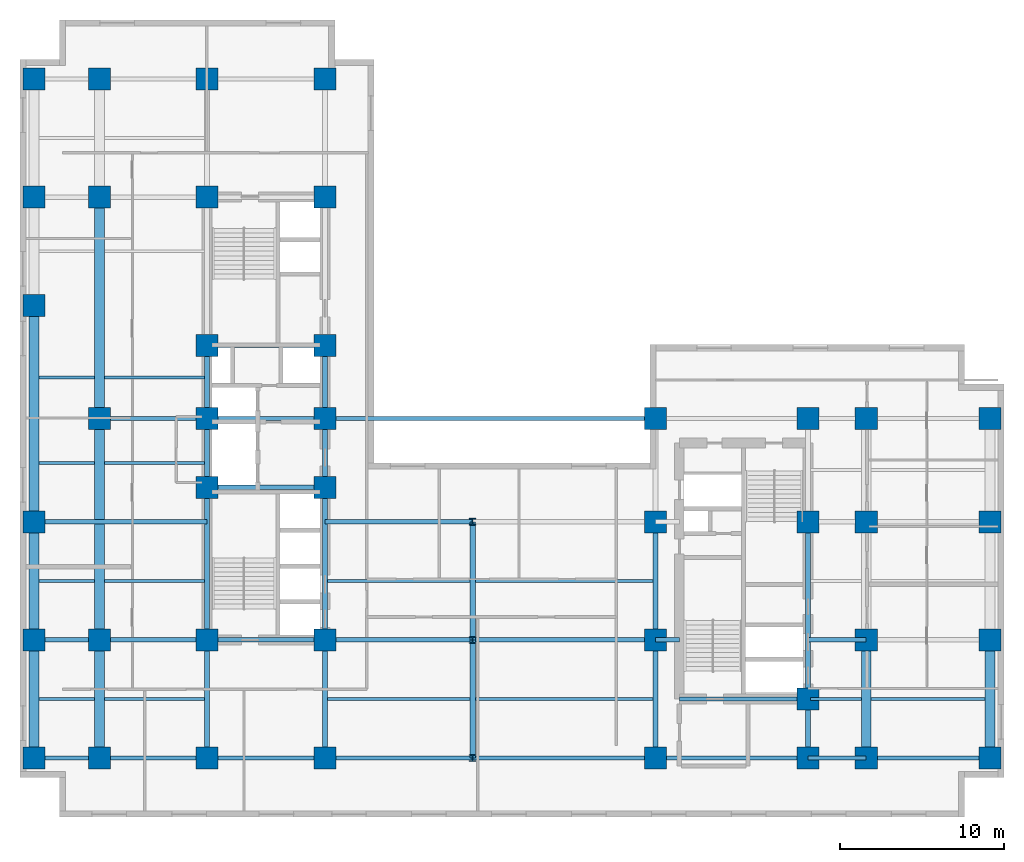
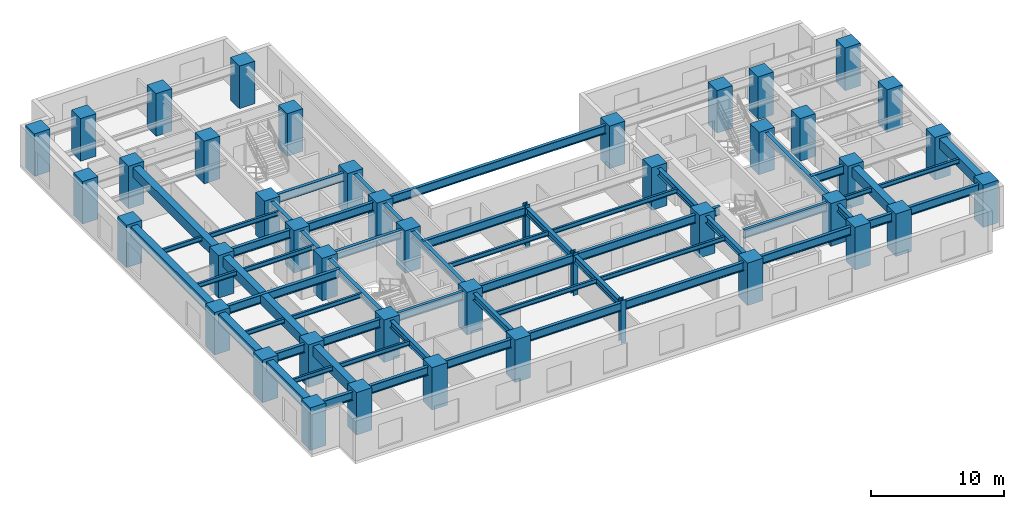
# One storey, part 1 of 9: 59 beams, 44 columns.
"""IFC4 building model written with IfcOpenShell, lengths in metres."""

from ifc_helpers import new_model, entity, si_unit, converted_unit, direction, frame, origin_with_axes, origin_2d_with_axis, place, context, subcontext, project, spatial, rectangle, i_section, extrude, material, material_profile, profile_set, type_object, element, save


model = new_model("IFC4")

# Units and contexts
model_context = context("Model", 3, precision=1e-05, world=origin_with_axes(), true_north=direction((0.0, 1.0)))
body_context = subcontext(model_context, "Body", "Model", "MODEL_VIEW")
ifc_project = project(units=[si_unit("LENGTHUNIT", "METRE"), si_unit("AREAUNIT", "SQUARE_METRE"), si_unit("VOLUMEUNIT", "CUBIC_METRE"), converted_unit("PLANEANGLEUNIT", "DEGREE", entity("IfcPlaneAngleMeasure", 0.017453292519943295), si_unit("PLANEANGLEUNIT", "RADIAN"), dimensions=[0, 0, 0, 0, 0, 0, 0]), si_unit("MASSUNIT", "GRAM", prefix="KILO"), si_unit("THERMODYNAMICTEMPERATUREUNIT", "KELVIN")], contexts=[model_context])

# Site, building, storey
site_placement = place(None, origin_with_axes())
site = spatial("IfcSite", under=ifc_project, at=site_placement, CompositionType="ELEMENT")
building_placement = place(site_placement, origin_with_axes())
building = spatial("IfcBuilding", under=site, at=building_placement, Name="Varnlund Millrace Tower", CompositionType="ELEMENT")
storey_placement = place(building_placement, frame((0.0, 0.0, 40.5), z_axis=(0.0, 0.0, 1.0), x_axis=(1.0, 0.0, 0.0)))
storey = spatial("IfcBuildingStorey", under=building, at=storey_placement, Name="L09", CompositionType="ELEMENT", Elevation=40.5)

# Columns
ifc_material_1 = material(Name="Steel ASTM A913 Grade 65", Category="steel")
ifc_material_profile_1 = material_profile(ifc_material_1, i_section(OverallWidth=0.406, OverallDepth=0.416, WebThickness=0.0298, FlangeThickness=0.048, FilletRadius=0.022, at=origin_2d_with_axis()), Name="Steel ASTM A913 Grade 65")
ifc_profile_set_1 = profile_set([ifc_material_profile_1], Name="Steel ASTM A913 Grade 65")
column_type_1 = type_object("IfcColumnType", Name="Type-Col-Int-W14X257", PredefinedType="COLUMN", material=ifc_profile_set_1)
for number, where, z_axis, x_axis, name in (
    (1, (27.6, 3.6, 0.0), (0.0, 0.0, 1.0), (1.0, 0.0, 0.0), "Type-Col-Int-W14X257"),
    (2, (27.6, 10.8, 0.0), (0.0, 0.0, 1.0), (1.0, 0.0, 0.0), "Type-Col-Int-W14X257"),
    (3, (27.6, 18.0, 0.0), (0.0, 0.0, 1.0), (1.0, 0.0, 0.0), "Type-Col-Int-W14X257"),
):
    element("IfcColumn", number, at=place(storey_placement, frame(where, z_axis=z_axis, x_axis=x_axis)), inside=storey, type_object=column_type_1, Name=name, PredefinedType="COLUMN", context=body_context, shape_type="SweptSolid", body=[
        extrude(i_section(OverallWidth=0.406, OverallDepth=0.416, WebThickness=0.0298, FlangeThickness=0.048, FilletRadius=0.022, at=origin_2d_with_axis()), origin_with_axes(), (0.0, 0.0, 1.0), 3.9),
    ])
ifc_material_2 = material(Name="Concrete C80/95", Category="concrete")
ifc_material_profile_2 = material_profile(ifc_material_2, rectangle(XDim=1.35, YDim=1.35, at=origin_2d_with_axis()), Name="Concrete C80/95")
ifc_profile_set_2 = profile_set([ifc_material_profile_2], Name="Concrete C80/95")
column_type_2 = type_object("IfcColumnType", Name="Type-Col-RC1350-C80", PredefinedType="COLUMN", material=ifc_profile_set_2)
for number, where, z_axis, x_axis, name in (
    (4, (11.4, 3.6, 0.0), (0.0, 0.0, 1.0), (1.0, 0.0, 0.0), "Type-Col-RC1350-C80"),
    (5, (11.4, 10.8, 0.0), (0.0, 0.0, 1.0), (1.0, 0.0, 0.0), "Type-Col-RC1350-C80"),
    (6, (11.4, 20.1, 0.0), (0.0, 0.0, 1.0), (1.0, 0.0, 0.0), "Type-Col-RC1350-C80"),
    (7, (11.4, 24.3, 0.0), (0.0, 0.0, 1.0), (1.0, 0.0, 0.0), "Type-Col-RC1350-C80"),
    (8, (11.4, 28.75, 0.0), (0.0, 0.0, 1.0), (1.0, 0.0, 0.0), "Type-Col-RC1350-C80"),
    (9, (11.4, 37.8, 0.0), (0.0, 0.0, 1.0), (1.0, 0.0, 0.0), "Type-Col-RC1350-C80"),
    (10, (11.4, 45.0, 0.0), (0.0, 0.0, 1.0), (1.0, 0.0, 0.0), "Type-Col-RC1350-C80"),
    (11, (18.6, 3.6, 0.0), (0.0, 0.0, 1.0), (1.0, 0.0, 0.0), "Type-Col-RC1350-C80"),
    (12, (18.6, 10.8, 0.0), (0.0, 0.0, 1.0), (1.0, 0.0, 0.0), "Type-Col-RC1350-C80"),
    (13, (18.6, 20.1, 0.0), (0.0, 0.0, 1.0), (1.0, 0.0, 0.0), "Type-Col-RC1350-C80"),
    (14, (18.6, 24.3, 0.0), (0.0, 0.0, 1.0), (1.0, 0.0, 0.0), "Type-Col-RC1350-C80"),
    (15, (18.6, 28.75, 0.0), (0.0, 0.0, 1.0), (1.0, 0.0, 0.0), "Type-Col-RC1350-C80"),
    (16, (18.6, 37.8, 0.0), (0.0, 0.0, 1.0), (1.0, 0.0, 0.0), "Type-Col-RC1350-C80"),
    (17, (18.6, 45.0, 0.0), (0.0, 0.0, 1.0), (1.0, 0.0, 0.0), "Type-Col-RC1350-C80"),
    (18, (4.85, 3.6, 0.0), (0.0, 0.0, 1.0), (1.0, 0.0, 0.0), "Type-Col-RC1350-C80"),
    (19, (4.85, 10.8, 0.0), (0.0, 0.0, 1.0), (1.0, 0.0, 0.0), "Type-Col-RC1350-C80"),
    (20, (4.85, 24.3, 0.0), (0.0, 0.0, 1.0), (1.0, 0.0, 0.0), "Type-Col-RC1350-C80"),
    (21, (4.85, 37.8, 0.0), (0.0, 0.0, 1.0), (1.0, 0.0, 0.0), "Type-Col-RC1350-C80"),
    (22, (4.85, 45.0, 0.0), (0.0, 0.0, 1.0), (1.0, 0.0, 0.0), "Type-Col-RC1350-C80"),
    (23, (0.85, 3.6, 0.0), (0.0, 0.0, 1.0), (1.0, 0.0, 0.0), "Type-Col-RC1350-C80"),
    (24, (0.85, 10.8, 0.0), (0.0, 0.0, 1.0), (1.0, 0.0, 0.0), "Type-Col-RC1350-C80"),
    (25, (0.85, 18.0, 0.0), (0.0, 0.0, 1.0), (1.0, 0.0, 0.0), "Type-Col-RC1350-C80"),
    (26, (0.85, 31.2, 0.0), (0.0, 0.0, 1.0), (1.0, 0.0, 0.0), "Type-Col-RC1350-C80"),
    (27, (0.85, 37.8, 0.0), (0.0, 0.0, 1.0), (1.0, 0.0, 0.0), "Type-Col-RC1350-C80"),
    (28, (0.85, 45.0, 0.0), (0.0, 0.0, 1.0), (1.0, 0.0, 0.0), "Type-Col-RC1350-C80"),
    (29, (38.75, 3.6, 0.0), (0.0, 0.0, 1.0), (1.0, 0.0, 0.0), "Type-Col-RC1350-C80"),
    (30, (38.75, 10.8, 0.0), (0.0, 0.0, 1.0), (1.0, 0.0, 0.0), "Type-Col-RC1350-C80"),
    (31, (38.75, 18.0, 0.0), (0.0, 0.0, 1.0), (1.0, 0.0, 0.0), "Type-Col-RC1350-C80"),
    (32, (38.75, 24.3, 0.0), (0.0, 0.0, 1.0), (1.0, 0.0, 0.0), "Type-Col-RC1350-C80"),
    (33, (48.05, 3.6, 0.0), (0.0, 0.0, 1.0), (1.0, 0.0, 0.0), "Type-Col-RC1350-C80"),
    (34, (48.05, 7.2, 0.0), (0.0, 0.0, 1.0), (1.0, 0.0, 0.0), "Type-Col-RC1350-C80"),
    (35, (48.05, 18.0, 0.0), (0.0, 0.0, 1.0), (1.0, 0.0, 0.0), "Type-Col-RC1350-C80"),
    (36, (48.05, 24.3, 0.0), (0.0, 0.0, 1.0), (1.0, 0.0, 0.0), "Type-Col-RC1350-C80"),
    (37, (51.6, 3.6, 0.0), (0.0, 0.0, 1.0), (1.0, 0.0, 0.0), "Type-Col-RC1350-C80"),
    (38, (51.6, 10.8, 0.0), (0.0, 0.0, 1.0), (1.0, 0.0, 0.0), "Type-Col-RC1350-C80"),
    (39, (51.6, 18.0, 0.0), (0.0, 0.0, 1.0), (1.0, 0.0, 0.0), "Type-Col-RC1350-C80"),
    (40, (51.6, 24.3, 0.0), (0.0, 0.0, 1.0), (1.0, 0.0, 0.0), "Type-Col-RC1350-C80"),
    (41, (59.15, 3.6, 0.0), (0.0, 0.0, 1.0), (1.0, 0.0, 0.0), "Type-Col-RC1350-C80"),
    (42, (59.15, 10.8, 0.0), (0.0, 0.0, 1.0), (1.0, 0.0, 0.0), "Type-Col-RC1350-C80"),
    (43, (59.15, 18.0, 0.0), (0.0, 0.0, 1.0), (1.0, 0.0, 0.0), "Type-Col-RC1350-C80"),
    (44, (59.15, 24.3, 0.0), (0.0, 0.0, 1.0), (1.0, 0.0, 0.0), "Type-Col-RC1350-C80"),
):
    element("IfcColumn", number, at=place(storey_placement, frame(where, z_axis=z_axis, x_axis=x_axis)), inside=storey, type_object=column_type_2, Name=name, PredefinedType="COLUMN", context=body_context, shape_type="SweptSolid", body=[
        extrude(rectangle(XDim=1.35, YDim=1.35, at=origin_2d_with_axis()), origin_with_axes(), (0.0, 0.0, 1.0), 3.9),
    ])

# Beams
ifc_material_3 = material(Name="Steel ASTM A992 Grade 50", Category="steel")
ifc_material_profile_3 = material_profile(ifc_material_3, i_section(OverallWidth=0.328, OverallDepth=0.628, WebThickness=0.0165, FlangeThickness=0.0277, FilletRadius=0.018, at=origin_2d_with_axis()), Name="Steel ASTM A992 Grade 50")
ifc_profile_set_3 = profile_set([ifc_material_profile_3], Name="Steel ASTM A992 Grade 50")
beam_type_1 = type_object("IfcBeamType", Name="Type-Girder-W24X146", PredefinedType="USERDEFINED", material=ifc_profile_set_3)
beam_1_placement = place(storey_placement, frame((11.4, 3.6, 3.346), z_axis=(0.0, 1.0, 0.0), x_axis=(-1.0, 0.0, 0.0)))
element("IfcBeam", 45, at=beam_1_placement, inside=storey, type_object=beam_type_1, Name="Type-Girder-W24X146", ObjectType="GIRDER", PredefinedType="USERDEFINED", context=body_context, shape_type="SweptSolid", body=[
    extrude(i_section(OverallWidth=0.328, OverallDepth=0.628, WebThickness=0.0165, FlangeThickness=0.0277, FilletRadius=0.018, at=origin_2d_with_axis()), origin_with_axes(), (0.0, 0.0, 1.0), 7.2),
])
beam_2_placement = place(storey_placement, frame((11.4, 10.8, 3.346), z_axis=(0.0, 1.0, 0.0), x_axis=(-1.0, 0.0, 0.0)))
element("IfcBeam", 46, at=beam_2_placement, inside=storey, type_object=beam_type_1, Name="Type-Girder-W24X146", ObjectType="GIRDER", PredefinedType="USERDEFINED", context=body_context, shape_type="SweptSolid", body=[
    extrude(i_section(OverallWidth=0.328, OverallDepth=0.628, WebThickness=0.0165, FlangeThickness=0.0277, FilletRadius=0.018, at=origin_2d_with_axis()), origin_with_axes(), (0.0, 0.0, 1.0), 9.3),
])
beam_3_placement = place(storey_placement, frame((11.4, 20.1, 3.346), z_axis=(0.0, 1.0, 0.0), x_axis=(-1.0, 0.0, 0.0)))
element("IfcBeam", 47, at=beam_3_placement, inside=storey, type_object=beam_type_1, Name="Type-Girder-W24X146", ObjectType="GIRDER", PredefinedType="USERDEFINED", context=body_context, shape_type="SweptSolid", body=[
    extrude(i_section(OverallWidth=0.328, OverallDepth=0.628, WebThickness=0.0165, FlangeThickness=0.0277, FilletRadius=0.018, at=origin_2d_with_axis()), origin_with_axes(), (0.0, 0.0, 1.0), 4.2),
])
beam_4_placement = place(storey_placement, frame((11.4, 24.3, 3.346), z_axis=(0.0, 1.0, 0.0), x_axis=(-1.0, 0.0, 0.0)))
element("IfcBeam", 48, at=beam_4_placement, inside=storey, type_object=beam_type_1, Name="Type-Girder-W24X146", ObjectType="GIRDER", PredefinedType="USERDEFINED", context=body_context, shape_type="SweptSolid", body=[
    extrude(i_section(OverallWidth=0.328, OverallDepth=0.628, WebThickness=0.0165, FlangeThickness=0.0277, FilletRadius=0.018, at=origin_2d_with_axis()), origin_with_axes(), (0.0, 0.0, 1.0), 4.45),
])
beam_5_placement = place(storey_placement, frame((18.6, 3.6, 3.346), z_axis=(0.0, 1.0, 0.0), x_axis=(-1.0, 0.0, 0.0)))
element("IfcBeam", 49, at=beam_5_placement, inside=storey, type_object=beam_type_1, Name="Type-Girder-W24X146", ObjectType="GIRDER", PredefinedType="USERDEFINED", context=body_context, shape_type="SweptSolid", body=[
    extrude(i_section(OverallWidth=0.328, OverallDepth=0.628, WebThickness=0.0165, FlangeThickness=0.0277, FilletRadius=0.018, at=origin_2d_with_axis()), origin_with_axes(), (0.0, 0.0, 1.0), 7.2),
])
beam_6_placement = place(storey_placement, frame((18.6, 10.8, 3.346), z_axis=(0.0, 1.0, 0.0), x_axis=(-1.0, 0.0, 0.0)))
element("IfcBeam", 50, at=beam_6_placement, inside=storey, type_object=beam_type_1, Name="Type-Girder-W24X146", ObjectType="GIRDER", PredefinedType="USERDEFINED", context=body_context, shape_type="SweptSolid", body=[
    extrude(i_section(OverallWidth=0.328, OverallDepth=0.628, WebThickness=0.0165, FlangeThickness=0.0277, FilletRadius=0.018, at=origin_2d_with_axis()), origin_with_axes(), (0.0, 0.0, 1.0), 9.3),
])
beam_7_placement = place(storey_placement, frame((18.6, 20.1, 3.346), z_axis=(0.0, 1.0, 0.0), x_axis=(-1.0, 0.0, 0.0)))
element("IfcBeam", 51, at=beam_7_placement, inside=storey, type_object=beam_type_1, Name="Type-Girder-W24X146", ObjectType="GIRDER", PredefinedType="USERDEFINED", context=body_context, shape_type="SweptSolid", body=[
    extrude(i_section(OverallWidth=0.328, OverallDepth=0.628, WebThickness=0.0165, FlangeThickness=0.0277, FilletRadius=0.018, at=origin_2d_with_axis()), origin_with_axes(), (0.0, 0.0, 1.0), 4.2),
])
beam_8_placement = place(storey_placement, frame((18.6, 24.3, 3.346), z_axis=(0.0, 1.0, 0.0), x_axis=(-1.0, 0.0, 0.0)))
element("IfcBeam", 52, at=beam_8_placement, inside=storey, type_object=beam_type_1, Name="Type-Girder-W24X146", ObjectType="GIRDER", PredefinedType="USERDEFINED", context=body_context, shape_type="SweptSolid", body=[
    extrude(i_section(OverallWidth=0.328, OverallDepth=0.628, WebThickness=0.0165, FlangeThickness=0.0277, FilletRadius=0.018, at=origin_2d_with_axis()), origin_with_axes(), (0.0, 0.0, 1.0), 4.45),
])
for number, where, z_axis, x_axis, name in (
    (53, (27.6, 3.6, 3.346), (0.0, 1.0, 0.0), (-1.0, 0.0, 0.0), "Type-Girder-W24X146"),
    (54, (27.6, 10.8, 3.346), (0.0, 1.0, 0.0), (-1.0, 0.0, 0.0), "Type-Girder-W24X146"),
    (55, (38.75, 3.6, 3.346), (0.0, 1.0, 0.0), (-1.0, 0.0, 0.0), "Type-Girder-W24X146"),
    (56, (38.75, 10.8, 3.346), (0.0, 1.0, 0.0), (-1.0, 0.0, 0.0), "Type-Girder-W24X146"),
):
    element("IfcBeam", number, at=place(storey_placement, frame(where, z_axis=z_axis, x_axis=x_axis)), inside=storey, type_object=beam_type_1, Name=name, ObjectType="GIRDER", PredefinedType="USERDEFINED", context=body_context, shape_type="SweptSolid", body=[
        extrude(i_section(OverallWidth=0.328, OverallDepth=0.628, WebThickness=0.0165, FlangeThickness=0.0277, FilletRadius=0.018, at=origin_2d_with_axis()), origin_with_axes(), (0.0, 0.0, 1.0), 7.2),
    ])
beam_9_placement = place(storey_placement, frame((48.05, 3.6, 3.346), z_axis=(0.0, 1.0, 0.0), x_axis=(-1.0, 0.0, 0.0)))
element("IfcBeam", 57, at=beam_9_placement, inside=storey, type_object=beam_type_1, Name="Type-Girder-W24X146", ObjectType="GIRDER", PredefinedType="USERDEFINED", context=body_context, shape_type="SweptSolid", body=[
    extrude(i_section(OverallWidth=0.328, OverallDepth=0.628, WebThickness=0.0165, FlangeThickness=0.0277, FilletRadius=0.018, at=origin_2d_with_axis()), origin_with_axes(), (0.0, 0.0, 1.0), 3.6),
])
beam_10_placement = place(storey_placement, frame((48.05, 7.2, 3.346), z_axis=(0.0, 1.0, 0.0), x_axis=(-1.0, 0.0, 0.0)))
element("IfcBeam", 58, at=beam_10_placement, inside=storey, type_object=beam_type_1, Name="Type-Girder-W24X146", ObjectType="GIRDER", PredefinedType="USERDEFINED", context=body_context, shape_type="SweptSolid", body=[
    extrude(i_section(OverallWidth=0.328, OverallDepth=0.628, WebThickness=0.0165, FlangeThickness=0.0277, FilletRadius=0.018, at=origin_2d_with_axis()), origin_with_axes(), (0.0, 0.0, 1.0), 10.8),
])
ifc_material_profile_4 = material_profile(ifc_material_3, i_section(OverallWidth=0.266, OverallDepth=0.779, WebThickness=0.0165, FlangeThickness=0.03, FilletRadius=0.02, at=origin_2d_with_axis()), Name="Steel ASTM A992 Grade 50")
ifc_profile_set_4 = profile_set([ifc_material_profile_4], Name="Steel ASTM A992 Grade 50")
beam_type_2 = type_object("IfcBeamType", Name="Type-Girder-W30X148", PredefinedType="USERDEFINED", material=ifc_profile_set_4)
beam_11_placement = place(storey_placement, frame((0.85, 3.6, 3.2705), z_axis=(1.0, 0.0, 0.0), x_axis=(0.0, 1.0, 0.0)))
element("IfcBeam", 59, at=beam_11_placement, inside=storey, type_object=beam_type_2, Name="Type-Girder-W30X148", ObjectType="GIRDER", PredefinedType="USERDEFINED", context=body_context, shape_type="SweptSolid", body=[
    extrude(i_section(OverallWidth=0.266, OverallDepth=0.779, WebThickness=0.0165, FlangeThickness=0.03, FilletRadius=0.02, at=origin_2d_with_axis()), origin_with_axes(), (0.0, 0.0, 1.0), 4.0),
])
beam_12_placement = place(storey_placement, frame((4.85, 3.6, 3.2705), z_axis=(1.0, 0.0, 0.0), x_axis=(0.0, 1.0, 0.0)))
element("IfcBeam", 60, at=beam_12_placement, inside=storey, type_object=beam_type_2, Name="Type-Girder-W30X148", ObjectType="GIRDER", PredefinedType="USERDEFINED", context=body_context, shape_type="SweptSolid", body=[
    extrude(i_section(OverallWidth=0.266, OverallDepth=0.779, WebThickness=0.0165, FlangeThickness=0.03, FilletRadius=0.02, at=origin_2d_with_axis()), origin_with_axes(), (0.0, 0.0, 1.0), 6.55),
])
beam_13_placement = place(storey_placement, frame((11.4, 3.6, 3.2705), z_axis=(1.0, 0.0, 0.0), x_axis=(0.0, 1.0, 0.0)))
element("IfcBeam", 61, at=beam_13_placement, inside=storey, type_object=beam_type_2, Name="Type-Girder-W30X148", ObjectType="GIRDER", PredefinedType="USERDEFINED", context=body_context, shape_type="SweptSolid", body=[
    extrude(i_section(OverallWidth=0.266, OverallDepth=0.779, WebThickness=0.0165, FlangeThickness=0.03, FilletRadius=0.02, at=origin_2d_with_axis()), origin_with_axes(), (0.0, 0.0, 1.0), 7.2),
])
beam_14_placement = place(storey_placement, frame((18.6, 3.6, 3.2705), z_axis=(1.0, 0.0, 0.0), x_axis=(0.0, 1.0, 0.0)))
element("IfcBeam", 62, at=beam_14_placement, inside=storey, type_object=beam_type_2, Name="Type-Girder-W30X148", ObjectType="GIRDER", PredefinedType="USERDEFINED", context=body_context, shape_type="SweptSolid", body=[
    extrude(i_section(OverallWidth=0.266, OverallDepth=0.779, WebThickness=0.0165, FlangeThickness=0.03, FilletRadius=0.02, at=origin_2d_with_axis()), origin_with_axes(), (0.0, 0.0, 1.0), 9.0),
])
beam_15_placement = place(storey_placement, frame((27.6, 3.6, 3.2705), z_axis=(1.0, 0.0, 0.0), x_axis=(0.0, 1.0, 0.0)))
element("IfcBeam", 63, at=beam_15_placement, inside=storey, type_object=beam_type_2, Name="Type-Girder-W30X148", ObjectType="GIRDER", PredefinedType="USERDEFINED", context=body_context, shape_type="SweptSolid", body=[
    extrude(i_section(OverallWidth=0.266, OverallDepth=0.779, WebThickness=0.0165, FlangeThickness=0.03, FilletRadius=0.02, at=origin_2d_with_axis()), origin_with_axes(), (0.0, 0.0, 1.0), 11.15),
])
beam_16_placement = place(storey_placement, frame((38.75, 3.6, 3.2705), z_axis=(1.0, 0.0, 0.0), x_axis=(0.0, 1.0, 0.0)))
element("IfcBeam", 64, at=beam_16_placement, inside=storey, type_object=beam_type_2, Name="Type-Girder-W30X148", ObjectType="GIRDER", PredefinedType="USERDEFINED", context=body_context, shape_type="SweptSolid", body=[
    extrude(i_section(OverallWidth=0.266, OverallDepth=0.779, WebThickness=0.0165, FlangeThickness=0.03, FilletRadius=0.02, at=origin_2d_with_axis()), origin_with_axes(), (0.0, 0.0, 1.0), 9.3),
])
beam_17_placement = place(storey_placement, frame((48.05, 3.6, 3.2705), z_axis=(1.0, 0.0, 0.0), x_axis=(0.0, 1.0, 0.0)))
element("IfcBeam", 65, at=beam_17_placement, inside=storey, type_object=beam_type_2, Name="Type-Girder-W30X148", ObjectType="GIRDER", PredefinedType="USERDEFINED", context=body_context, shape_type="SweptSolid", body=[
    extrude(i_section(OverallWidth=0.266, OverallDepth=0.779, WebThickness=0.0165, FlangeThickness=0.03, FilletRadius=0.02, at=origin_2d_with_axis()), origin_with_axes(), (0.0, 0.0, 1.0), 3.55),
])
beam_18_placement = place(storey_placement, frame((51.6, 3.6, 3.2705), z_axis=(1.0, 0.0, 0.0), x_axis=(0.0, 1.0, 0.0)))
element("IfcBeam", 66, at=beam_18_placement, inside=storey, type_object=beam_type_2, Name="Type-Girder-W30X148", ObjectType="GIRDER", PredefinedType="USERDEFINED", context=body_context, shape_type="SweptSolid", body=[
    extrude(i_section(OverallWidth=0.266, OverallDepth=0.779, WebThickness=0.0165, FlangeThickness=0.03, FilletRadius=0.02, at=origin_2d_with_axis()), origin_with_axes(), (0.0, 0.0, 1.0), 7.55),
])
beam_19_placement = place(storey_placement, frame((40.2, 7.2, 3.2705), z_axis=(1.0, 0.0, 0.0), x_axis=(0.0, 1.0, 0.0)))
element("IfcBeam", 67, at=beam_19_placement, inside=storey, type_object=beam_type_2, Name="Type-Girder-W30X148", ObjectType="GIRDER", PredefinedType="USERDEFINED", context=body_context, shape_type="SweptSolid", body=[
    extrude(i_section(OverallWidth=0.266, OverallDepth=0.779, WebThickness=0.0165, FlangeThickness=0.03, FilletRadius=0.02, at=origin_2d_with_axis()), origin_with_axes(), (0.0, 0.0, 1.0), 7.85),
])
beam_20_placement = place(storey_placement, frame((0.85, 10.8, 3.2705), z_axis=(1.0, 0.0, 0.0), x_axis=(0.0, 1.0, 0.0)))
element("IfcBeam", 68, at=beam_20_placement, inside=storey, type_object=beam_type_2, Name="Type-Girder-W30X148", ObjectType="GIRDER", PredefinedType="USERDEFINED", context=body_context, shape_type="SweptSolid", body=[
    extrude(i_section(OverallWidth=0.266, OverallDepth=0.779, WebThickness=0.0165, FlangeThickness=0.03, FilletRadius=0.02, at=origin_2d_with_axis()), origin_with_axes(), (0.0, 0.0, 1.0), 4.0),
])
beam_21_placement = place(storey_placement, frame((4.85, 10.8, 3.2705), z_axis=(1.0, 0.0, 0.0), x_axis=(0.0, 1.0, 0.0)))
element("IfcBeam", 69, at=beam_21_placement, inside=storey, type_object=beam_type_2, Name="Type-Girder-W30X148", ObjectType="GIRDER", PredefinedType="USERDEFINED", context=body_context, shape_type="SweptSolid", body=[
    extrude(i_section(OverallWidth=0.266, OverallDepth=0.779, WebThickness=0.0165, FlangeThickness=0.03, FilletRadius=0.02, at=origin_2d_with_axis()), origin_with_axes(), (0.0, 0.0, 1.0), 6.55),
])
beam_22_placement = place(storey_placement, frame((11.4, 10.8, 3.2705), z_axis=(1.0, 0.0, 0.0), x_axis=(0.0, 1.0, 0.0)))
element("IfcBeam", 70, at=beam_22_placement, inside=storey, type_object=beam_type_2, Name="Type-Girder-W30X148", ObjectType="GIRDER", PredefinedType="USERDEFINED", context=body_context, shape_type="SweptSolid", body=[
    extrude(i_section(OverallWidth=0.266, OverallDepth=0.779, WebThickness=0.0165, FlangeThickness=0.03, FilletRadius=0.02, at=origin_2d_with_axis()), origin_with_axes(), (0.0, 0.0, 1.0), 7.2),
])
beam_23_placement = place(storey_placement, frame((18.6, 10.8, 3.2705), z_axis=(1.0, 0.0, 0.0), x_axis=(0.0, 1.0, 0.0)))
element("IfcBeam", 71, at=beam_23_placement, inside=storey, type_object=beam_type_2, Name="Type-Girder-W30X148", ObjectType="GIRDER", PredefinedType="USERDEFINED", context=body_context, shape_type="SweptSolid", body=[
    extrude(i_section(OverallWidth=0.266, OverallDepth=0.779, WebThickness=0.0165, FlangeThickness=0.03, FilletRadius=0.02, at=origin_2d_with_axis()), origin_with_axes(), (0.0, 0.0, 1.0), 9.0),
])
beam_24_placement = place(storey_placement, frame((27.6, 10.8, 3.2705), z_axis=(1.0, 0.0, 0.0), x_axis=(0.0, 1.0, 0.0)))
element("IfcBeam", 72, at=beam_24_placement, inside=storey, type_object=beam_type_2, Name="Type-Girder-W30X148", ObjectType="GIRDER", PredefinedType="USERDEFINED", context=body_context, shape_type="SweptSolid", body=[
    extrude(i_section(OverallWidth=0.266, OverallDepth=0.779, WebThickness=0.0165, FlangeThickness=0.03, FilletRadius=0.02, at=origin_2d_with_axis()), origin_with_axes(), (0.0, 0.0, 1.0), 11.15),
])
beam_25_placement = place(storey_placement, frame((38.75, 10.8, 3.2705), z_axis=(1.0, 0.0, 0.0), x_axis=(0.0, 1.0, 0.0)))
element("IfcBeam", 73, at=beam_25_placement, inside=storey, type_object=beam_type_2, Name="Type-Girder-W30X148", ObjectType="GIRDER", PredefinedType="USERDEFINED", context=body_context, shape_type="SweptSolid", body=[
    extrude(i_section(OverallWidth=0.266, OverallDepth=0.779, WebThickness=0.0165, FlangeThickness=0.03, FilletRadius=0.02, at=origin_2d_with_axis()), origin_with_axes(), (0.0, 0.0, 1.0), 1.45),
])
beam_26_placement = place(storey_placement, frame((48.05, 10.8, 3.2705), z_axis=(1.0, 0.0, 0.0), x_axis=(0.0, 1.0, 0.0)))
element("IfcBeam", 74, at=beam_26_placement, inside=storey, type_object=beam_type_2, Name="Type-Girder-W30X148", ObjectType="GIRDER", PredefinedType="USERDEFINED", context=body_context, shape_type="SweptSolid", body=[
    extrude(i_section(OverallWidth=0.266, OverallDepth=0.779, WebThickness=0.0165, FlangeThickness=0.03, FilletRadius=0.02, at=origin_2d_with_axis()), origin_with_axes(), (0.0, 0.0, 1.0), 3.55),
])
beam_27_placement = place(storey_placement, frame((0.85, 18.0, 3.2705), z_axis=(1.0, 0.0, 0.0), x_axis=(0.0, 1.0, 0.0)))
element("IfcBeam", 75, at=beam_27_placement, inside=storey, type_object=beam_type_2, Name="Type-Girder-W30X148", ObjectType="GIRDER", PredefinedType="USERDEFINED", context=body_context, shape_type="SweptSolid", body=[
    extrude(i_section(OverallWidth=0.266, OverallDepth=0.779, WebThickness=0.0165, FlangeThickness=0.03, FilletRadius=0.02, at=origin_2d_with_axis()), origin_with_axes(), (0.0, 0.0, 1.0), 10.55),
])
beam_28_placement = place(storey_placement, frame((18.6, 18.0, 3.2705), z_axis=(1.0, 0.0, 0.0), x_axis=(0.0, 1.0, 0.0)))
element("IfcBeam", 76, at=beam_28_placement, inside=storey, type_object=beam_type_2, Name="Type-Girder-W30X148", ObjectType="GIRDER", PredefinedType="USERDEFINED", context=body_context, shape_type="SweptSolid", body=[
    extrude(i_section(OverallWidth=0.266, OverallDepth=0.779, WebThickness=0.0165, FlangeThickness=0.03, FilletRadius=0.02, at=origin_2d_with_axis()), origin_with_axes(), (0.0, 0.0, 1.0), 9.0),
])
beam_29_placement = place(storey_placement, frame((11.4, 20.1, 3.2705), z_axis=(1.0, 0.0, 0.0), x_axis=(0.0, 1.0, 0.0)))
element("IfcBeam", 77, at=beam_29_placement, inside=storey, type_object=beam_type_2, Name="Type-Girder-W30X148", ObjectType="GIRDER", PredefinedType="USERDEFINED", context=body_context, shape_type="SweptSolid", body=[
    extrude(i_section(OverallWidth=0.266, OverallDepth=0.779, WebThickness=0.0165, FlangeThickness=0.03, FilletRadius=0.02, at=origin_2d_with_axis()), origin_with_axes(), (0.0, 0.0, 1.0), 7.2),
])
beam_30_placement = place(storey_placement, frame((4.85, 24.3, 3.2705), z_axis=(1.0, 0.0, 0.0), x_axis=(0.0, 1.0, 0.0)))
element("IfcBeam", 78, at=beam_30_placement, inside=storey, type_object=beam_type_2, Name="Type-Girder-W30X148", ObjectType="GIRDER", PredefinedType="USERDEFINED", context=body_context, shape_type="SweptSolid", body=[
    extrude(i_section(OverallWidth=0.266, OverallDepth=0.779, WebThickness=0.0165, FlangeThickness=0.03, FilletRadius=0.02, at=origin_2d_with_axis()), origin_with_axes(), (0.0, 0.0, 1.0), 6.55),
])
beam_31_placement = place(storey_placement, frame((11.4, 24.3, 3.2705), z_axis=(1.0, 0.0, 0.0), x_axis=(0.0, 1.0, 0.0)))
element("IfcBeam", 79, at=beam_31_placement, inside=storey, type_object=beam_type_2, Name="Type-Girder-W30X148", ObjectType="GIRDER", PredefinedType="USERDEFINED", context=body_context, shape_type="SweptSolid", body=[
    extrude(i_section(OverallWidth=0.266, OverallDepth=0.779, WebThickness=0.0165, FlangeThickness=0.03, FilletRadius=0.02, at=origin_2d_with_axis()), origin_with_axes(), (0.0, 0.0, 1.0), 7.2),
])
beam_32_placement = place(storey_placement, frame((18.6, 24.3, 3.2705), z_axis=(1.0, 0.0, 0.0), x_axis=(0.0, 1.0, 0.0)))
element("IfcBeam", 80, at=beam_32_placement, inside=storey, type_object=beam_type_2, Name="Type-Girder-W30X148", ObjectType="GIRDER", PredefinedType="USERDEFINED", context=body_context, shape_type="SweptSolid", body=[
    extrude(i_section(OverallWidth=0.266, OverallDepth=0.779, WebThickness=0.0165, FlangeThickness=0.03, FilletRadius=0.02, at=origin_2d_with_axis()), origin_with_axes(), (0.0, 0.0, 1.0), 20.15),
])
beam_33_placement = place(storey_placement, frame((11.4, 28.75, 3.2705), z_axis=(1.0, 0.0, 0.0), x_axis=(0.0, 1.0, 0.0)))
element("IfcBeam", 81, at=beam_33_placement, inside=storey, type_object=beam_type_2, Name="Type-Girder-W30X148", ObjectType="GIRDER", PredefinedType="USERDEFINED", context=body_context, shape_type="SweptSolid", body=[
    extrude(i_section(OverallWidth=0.266, OverallDepth=0.779, WebThickness=0.0165, FlangeThickness=0.03, FilletRadius=0.02, at=origin_2d_with_axis()), origin_with_axes(), (0.0, 0.0, 1.0), 7.2),
])
ifc_material_profile_5 = material_profile(ifc_material_3, i_section(OverallWidth=0.181, OverallDepth=0.417, WebThickness=0.0109, FlangeThickness=0.0182, FilletRadius=0.013, at=origin_2d_with_axis()), Name="Steel ASTM A992 Grade 50")
ifc_profile_set_5 = profile_set([ifc_material_profile_5], Name="Steel ASTM A992 Grade 50")
beam_type_3 = type_object("IfcBeamType", Name="Type-Joist-W16X57", PredefinedType="JOIST", material=ifc_profile_set_5)
for number, where, z_axis, x_axis, name in (
    (82, (1.15, 7.2, 3.4515), (1.0, 0.0, 0.0), (0.0, 1.0, 0.0), "Type-Joist-W16X57"),
    (83, (1.15, 14.4, 3.4515), (1.0, 0.0, 0.0), (0.0, 1.0, 0.0), "Type-Joist-W16X57"),
    (84, (1.15, 21.6, 3.4515), (1.0, 0.0, 0.0), (0.0, 1.0, 0.0), "Type-Joist-W16X57"),
    (85, (1.15, 26.8, 3.4515), (1.0, 0.0, 0.0), (0.0, 1.0, 0.0), "Type-Joist-W16X57"),
):
    element("IfcBeam", number, at=place(storey_placement, frame(where, z_axis=z_axis, x_axis=x_axis)), inside=storey, type_object=beam_type_3, Name=name, PredefinedType="JOIST", context=body_context, shape_type="SweptSolid", body=[
        extrude(i_section(OverallWidth=0.181, OverallDepth=0.417, WebThickness=0.0109, FlangeThickness=0.0182, FilletRadius=0.013, at=origin_2d_with_axis()), origin_with_axes(), (0.0, 0.0, 1.0), 3.4),
    ])
for number, where, z_axis, x_axis, name in (
    (86, (5.15, 7.2, 3.4515), (1.0, 0.0, 0.0), (0.0, 1.0, 0.0), "Type-Joist-W16X57"),
    (87, (5.15, 14.4, 3.4515), (1.0, 0.0, 0.0), (0.0, 1.0, 0.0), "Type-Joist-W16X57"),
    (88, (5.15, 21.6, 3.4515), (1.0, 0.0, 0.0), (0.0, 1.0, 0.0), "Type-Joist-W16X57"),
    (89, (5.15, 26.8, 3.4515), (1.0, 0.0, 0.0), (0.0, 1.0, 0.0), "Type-Joist-W16X57"),
):
    element("IfcBeam", number, at=place(storey_placement, frame(where, z_axis=z_axis, x_axis=x_axis)), inside=storey, type_object=beam_type_3, Name=name, PredefinedType="JOIST", context=body_context, shape_type="SweptSolid", body=[
        extrude(i_section(OverallWidth=0.181, OverallDepth=0.417, WebThickness=0.0109, FlangeThickness=0.0182, FilletRadius=0.013, at=origin_2d_with_axis()), origin_with_axes(), (0.0, 0.0, 1.0), 6.086),
    ])
beam_34_placement = place(storey_placement, frame((48.214, 7.2, 3.4515), z_axis=(1.0, 0.0, 0.0), x_axis=(0.0, 1.0, 0.0)))
element("IfcBeam", 90, at=beam_34_placement, inside=storey, type_object=beam_type_3, Name="Type-Joist-W16X57", PredefinedType="JOIST", context=body_context, shape_type="SweptSolid", body=[
    extrude(i_section(OverallWidth=0.181, OverallDepth=0.417, WebThickness=0.0109, FlangeThickness=0.0182, FilletRadius=0.013, at=origin_2d_with_axis()), origin_with_axes(), (0.0, 0.0, 1.0), 3.086),
])
beam_35_placement = place(storey_placement, frame((51.9, 7.2, 3.4515), z_axis=(1.0, 0.0, 0.0), x_axis=(0.0, 1.0, 0.0)))
element("IfcBeam", 91, at=beam_35_placement, inside=storey, type_object=beam_type_3, Name="Type-Joist-W16X57", PredefinedType="JOIST", context=body_context, shape_type="SweptSolid", body=[
    extrude(i_section(OverallWidth=0.181, OverallDepth=0.417, WebThickness=0.0109, FlangeThickness=0.0182, FilletRadius=0.013, at=origin_2d_with_axis()), origin_with_axes(), (0.0, 0.0, 1.0), 6.95),
])
for number, where, z_axis, x_axis, name in (
    (92, (18.764, 7.2, 3.4515), (1.0, 0.0, 0.0), (0.0, 1.0, 0.0), "Type-Joist-W16X57"),
    (93, (18.764, 14.4, 3.4515), (1.0, 0.0, 0.0), (0.0, 1.0, 0.0), "Type-Joist-W16X57"),
):
    element("IfcBeam", number, at=place(storey_placement, frame(where, z_axis=z_axis, x_axis=x_axis)), inside=storey, type_object=beam_type_3, Name=name, PredefinedType="JOIST", context=body_context, shape_type="SweptSolid", body=[
        extrude(i_section(OverallWidth=0.181, OverallDepth=0.417, WebThickness=0.0109, FlangeThickness=0.0182, FilletRadius=0.013, at=origin_2d_with_axis()), origin_with_axes(), (0.0, 0.0, 1.0), 8.672),
    ])
for number, where, z_axis, x_axis, name in (
    (94, (27.764, 7.2, 3.4515), (1.0, 0.0, 0.0), (0.0, 1.0, 0.0), "Type-Joist-W16X57"),
    (95, (27.764, 14.4, 3.4515), (1.0, 0.0, 0.0), (0.0, 1.0, 0.0), "Type-Joist-W16X57"),
):
    element("IfcBeam", number, at=place(storey_placement, frame(where, z_axis=z_axis, x_axis=x_axis)), inside=storey, type_object=beam_type_3, Name=name, PredefinedType="JOIST", context=body_context, shape_type="SweptSolid", body=[
        extrude(i_section(OverallWidth=0.181, OverallDepth=0.417, WebThickness=0.0109, FlangeThickness=0.0182, FilletRadius=0.013, at=origin_2d_with_axis()), origin_with_axes(), (0.0, 0.0, 1.0), 10.822),
    ])
ifc_material_4 = material(Name="Concrete C70/85", Category="concrete")
ifc_material_profile_6 = material_profile(ifc_material_4, rectangle(XDim=0.6, YDim=0.9, at=origin_2d_with_axis()), Name="Concrete C70/85")
ifc_profile_set_6 = profile_set([ifc_material_profile_6], Name="Concrete C70/85")
beam_type_4 = type_object("IfcBeamType", Name="Type-Spandrel-RC600X900", PredefinedType="SPANDREL", material=ifc_profile_set_6)
for number, where, z_axis, x_axis, name in (
    (96, (0.85, 3.6, 3.21), (0.0, 1.0, 0.0), (-1.0, 0.0, 0.0), "Type-Spandrel-RC600X900"),
    (97, (0.85, 10.8, 3.21), (0.0, 1.0, 0.0), (-1.0, 0.0, 0.0), "Type-Spandrel-RC600X900"),
):
    element("IfcBeam", number, at=place(storey_placement, frame(where, z_axis=z_axis, x_axis=x_axis)), inside=storey, type_object=beam_type_4, Name=name, PredefinedType="SPANDREL", context=body_context, shape_type="SweptSolid", body=[
        extrude(rectangle(XDim=0.6, YDim=0.9, at=origin_2d_with_axis()), origin_with_axes(), (0.0, 0.0, 1.0), 7.2),
    ])
beam_36_placement = place(storey_placement, frame((0.85, 18.0, 3.21), z_axis=(0.0, 1.0, 0.0), x_axis=(-1.0, 0.0, 0.0)))
element("IfcBeam", 98, at=beam_36_placement, inside=storey, type_object=beam_type_4, Name="Type-Spandrel-RC600X900", PredefinedType="SPANDREL", context=body_context, shape_type="SweptSolid", body=[
    extrude(rectangle(XDim=0.6, YDim=0.9, at=origin_2d_with_axis()), origin_with_axes(), (0.0, 0.0, 1.0), 13.2),
])
beam_37_placement = place(storey_placement, frame((4.85, 3.6, 3.21), z_axis=(0.0, 1.0, 0.0), x_axis=(-1.0, 0.0, 0.0)))
element("IfcBeam", 99, at=beam_37_placement, inside=storey, type_object=beam_type_4, Name="Type-Spandrel-RC600X900", PredefinedType="SPANDREL", context=body_context, shape_type="SweptSolid", body=[
    extrude(rectangle(XDim=0.6, YDim=0.9, at=origin_2d_with_axis()), origin_with_axes(), (0.0, 0.0, 1.0), 7.2),
])
for number, where, z_axis, x_axis, name in (
    (100, (4.85, 10.8, 3.21), (0.0, 1.0, 0.0), (-1.0, 0.0, 0.0), "Type-Spandrel-RC600X900"),
    (101, (4.85, 24.3, 3.21), (0.0, 1.0, 0.0), (-1.0, 0.0, 0.0), "Type-Spandrel-RC600X900"),
):
    element("IfcBeam", number, at=place(storey_placement, frame(where, z_axis=z_axis, x_axis=x_axis)), inside=storey, type_object=beam_type_4, Name=name, PredefinedType="SPANDREL", context=body_context, shape_type="SweptSolid", body=[
        extrude(rectangle(XDim=0.6, YDim=0.9, at=origin_2d_with_axis()), origin_with_axes(), (0.0, 0.0, 1.0), 13.5),
    ])
for number, where, z_axis, x_axis, name in (
    (102, (51.6, 3.6, 3.21), (0.0, 1.0, 0.0), (-1.0, 0.0, 0.0), "Type-Spandrel-RC600X900"),
    (103, (59.15, 3.6, 3.21), (0.0, 1.0, 0.0), (-1.0, 0.0, 0.0), "Type-Spandrel-RC600X900"),
):
    element("IfcBeam", number, at=place(storey_placement, frame(where, z_axis=z_axis, x_axis=x_axis)), inside=storey, type_object=beam_type_4, Name=name, PredefinedType="SPANDREL", context=body_context, shape_type="SweptSolid", body=[
        extrude(rectangle(XDim=0.6, YDim=0.9, at=origin_2d_with_axis()), origin_with_axes(), (0.0, 0.0, 1.0), 7.2),
    ])

save(model, "model.ifc")
